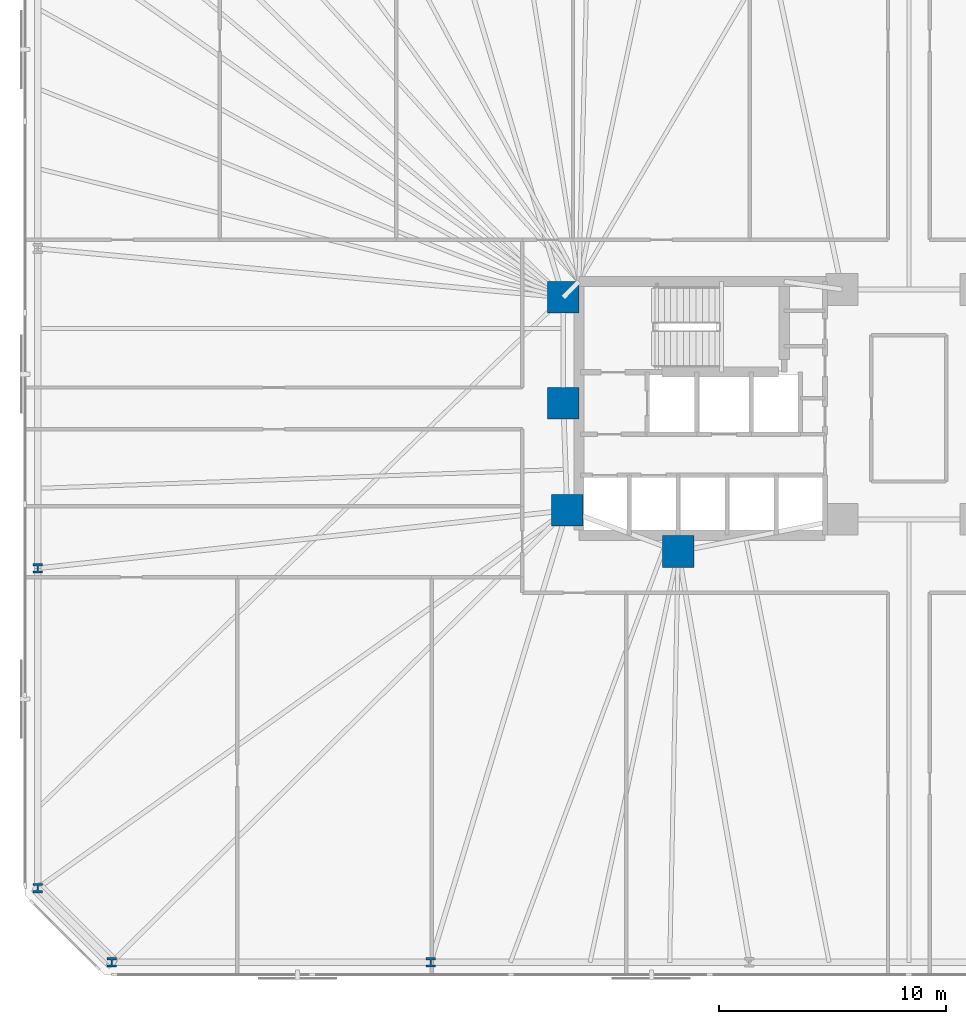
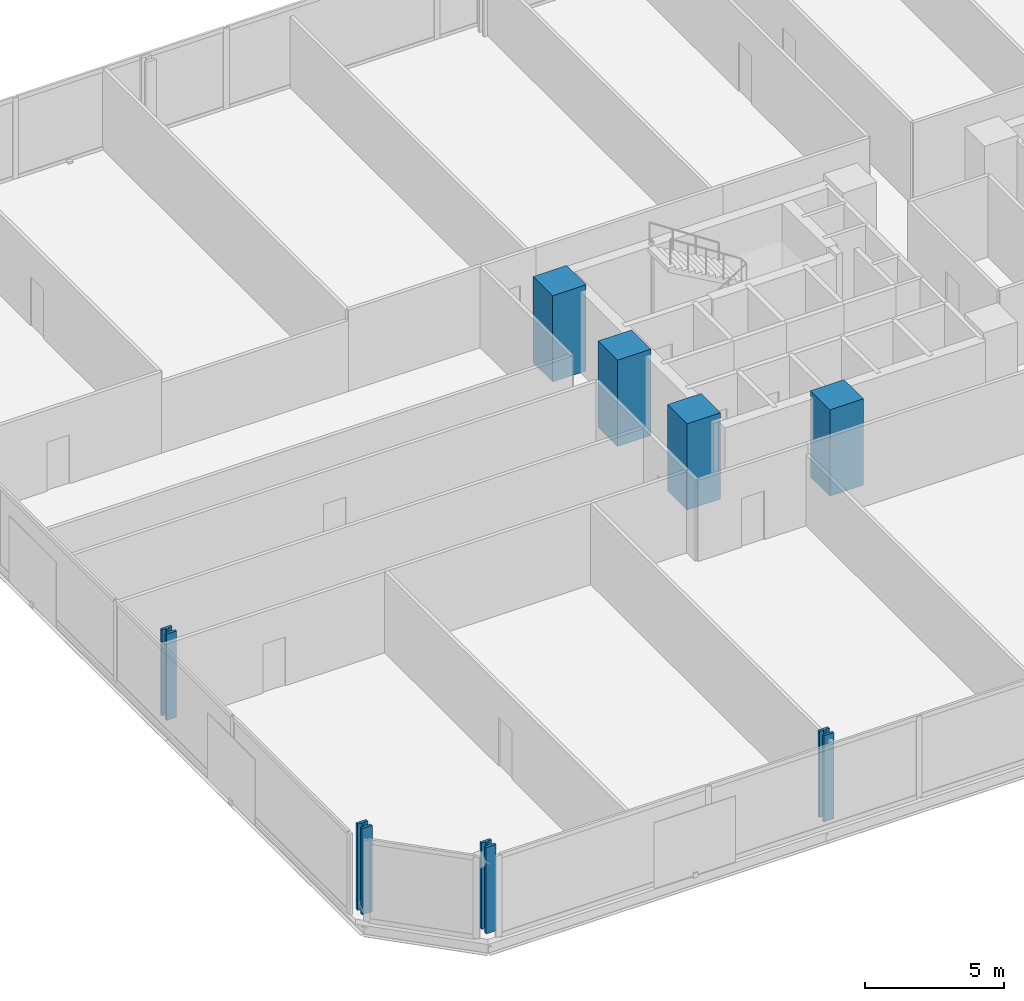
# One storey, part 1 of 17: 8 columns.
"""IFC4 building model written with IfcOpenShell, lengths in metres."""

from ifc_helpers import new_model, si_unit, direction, frame, origin, origin_2d, place, context, subcontext, project, spatial, rectangle, i_section, extrude, material, material_profile, profile_set, type_object, element, save


model = new_model("IFC4")

# Units and contexts
model_context = context("Model", 3, precision=1e-05, world=origin(), true_north=direction((0.0, 1.0)))
body_context = subcontext(model_context, "Body", "Model", "MODEL_VIEW")
ifc_project = project(units=[si_unit("LENGTHUNIT", "METRE"), si_unit("AREAUNIT", "SQUARE_METRE"), si_unit("VOLUMEUNIT", "CUBIC_METRE"), si_unit("PLANEANGLEUNIT", "RADIAN"), si_unit("MASSUNIT", "GRAM", prefix="KILO")], contexts=[model_context])

# Site, building, storey
site_placement = place(None, origin())
site = spatial("IfcSite", under=ifc_project, at=site_placement, CompositionType="ELEMENT")
building_placement = place(site_placement, origin())
building = spatial("IfcBuilding", under=site, at=building_placement, Name="Menara Jurai Vektor", CompositionType="ELEMENT")
storey_placement = place(building_placement, frame((0.0, 0.0, 37.0)))
storey = spatial("IfcBuildingStorey", under=building, at=storey_placement, Name="L08", CompositionType="ELEMENT", Elevation=37.0)

# Columns
ifc_material_1 = material(Name="Concrete C60/75", Category="concrete")
ifc_material_profile_1 = material_profile(ifc_material_1, rectangle(XDim=1.39990234375, YDim=1.39990234375, at=origin_2d()), Name="RC 1400x1400")
ifc_profile_set_1 = profile_set([ifc_material_profile_1], Name="Concrete C60/75")
column_type_1 = type_object("IfcColumnType", Name="STR-COL-RC1400", PredefinedType="COLUMN", material=ifc_profile_set_1)
for number, where, z_axis, x_axis, name in (
    (1, (-15.25, 4.89990234375, 0.0), (0.0, 0.0, 1.0), (1.0, 0.0, 0.0), "Core Spine Column CW-NW L08"),
    (2, (-15.25, 0.219970703125, 0.0), (0.0, 0.0, 1.0), (1.0, 0.0, 0.0), "Core Spine Column CW-WM L08"),
    (3, (-15.080078125, -4.5, 0.0), (0.0, 0.0, 1.0), (1.0, 0.0, 0.0), "Core Spine Column CW-SW L08"),
    (4, (-10.179931640625, -6.320068359375, 0.0), (0.0, 0.0, 1.0), (1.0, 0.0, 0.0), "Core Spine Column CW-SM L08"),
):
    element("IfcColumn", number, at=place(storey_placement, frame(where, z_axis=z_axis, x_axis=x_axis)), inside=storey, type_object=column_type_1, Name=name, PredefinedType="COLUMN", context=body_context, shape_type="SweptSolid", body=[
        extrude(rectangle(XDim=1.39990234375, YDim=1.39990234375, at=origin_2d()), origin(), (0.0, 0.0, 1.0), 3.800048828125),
    ])
ifc_material_2 = material(Name="Steel S460", Category="steel")
ifc_material_profile_2 = material_profile(ifc_material_2, i_section(OverallWidth=0.419921875, OverallDepth=0.430908203125, WebThickness=0.06494140625, FlangeThickness=0.10595703125, FilletRadius=0.014892578125, at=origin_2d()), Name="HD 400x900")
ifc_profile_set_2 = profile_set([ifc_material_profile_2], Name="Steel S460")
column_type_2 = type_object("IfcColumnType", Name="STR-EXO-BLK1", PredefinedType="COLUMN", material=ifc_profile_set_2)
for number, where, z_axis, x_axis, name in (
    (5, (-35.177734375, -24.449951171875, 0.0), (0.0, 0.0, 1.0), (1.0, 0.0, 0.0), "Exoskeleton Column BLK1-S1 L08"),
    (6, (-21.106689453125, -24.449951171875, 0.0), (0.0, 0.0, 1.0), (1.0, 0.0, 0.0), "Exoskeleton Column BLK1-S2 L08"),
    (7, (-38.449951171875, -7.059326171875, 0.0), (0.0, 0.0, 1.0), (1.0, 0.0, 0.0), "Exoskeleton Column BLK1-W3 L08"),
    (8, (-38.449951171875, -21.177734375, 0.0), (0.0, 0.0, 1.0), (1.0, 0.0, 0.0), "Exoskeleton Column BLK1-W4 L08"),
):
    element("IfcColumn", number, at=place(storey_placement, frame(where, z_axis=z_axis, x_axis=x_axis)), inside=storey, type_object=column_type_2, Name=name, PredefinedType="COLUMN", context=body_context, shape_type="SweptSolid", body=[
        extrude(i_section(OverallWidth=0.419921875, OverallDepth=0.430908203125, WebThickness=0.06494140625, FlangeThickness=0.10595703125, FilletRadius=0.014892578125, at=origin_2d()), origin(), (0.0, 0.0, 1.0), 3.800048828125),
    ])

save(model, "model.ifc")
